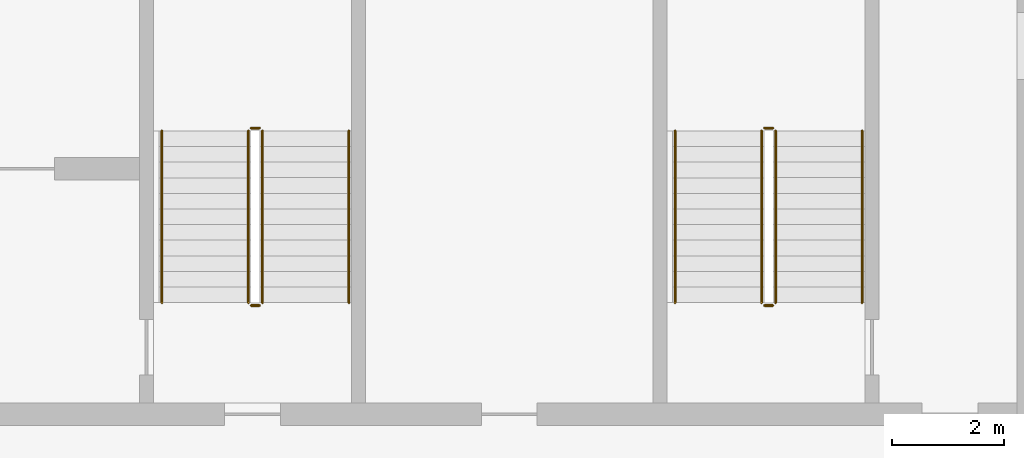
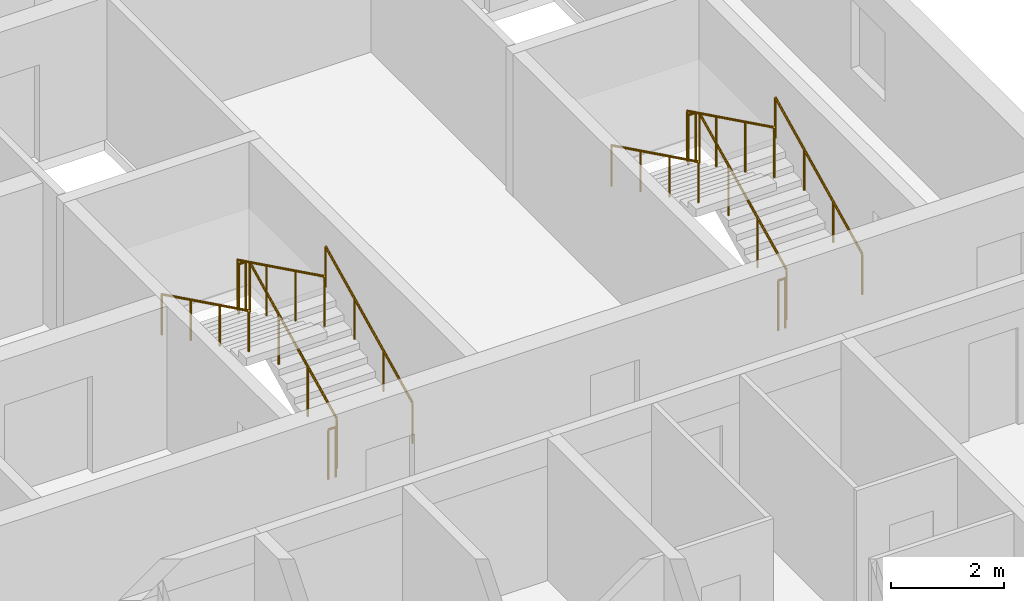
# One storey, part 15 of 27: 12 railings.
"""IFC4 building model written with IfcOpenShell, lengths in metres."""

from ifc_helpers import new_model, si_unit, direction, frame, origin, origin_2d, place, context, subcontext, project, spatial, circle, extrude, material, type_object, element, save


model = new_model("IFC4")

# Units and contexts
model_context = context("Model", 3, precision=1e-05, world=origin(), true_north=direction((0.0, 1.0)))
body_context = subcontext(model_context, "Body", "Model", "MODEL_VIEW")
ifc_project = project(units=[si_unit("LENGTHUNIT", "METRE"), si_unit("AREAUNIT", "SQUARE_METRE"), si_unit("VOLUMEUNIT", "CUBIC_METRE"), si_unit("PLANEANGLEUNIT", "RADIAN"), si_unit("MASSUNIT", "GRAM", prefix="KILO")], contexts=[model_context])

# Site, building, storey
site_placement = place(None, origin())
site = spatial("IfcSite", under=ifc_project, at=site_placement, CompositionType="ELEMENT")
building_placement = place(site_placement, origin())
building = spatial("IfcBuilding", under=site, at=building_placement, Name="Poui Terraces", CompositionType="ELEMENT")
storey_placement = place(building_placement, frame((0.0, 0.0, 195.0)))
storey = spatial("IfcBuildingStorey", under=building, at=storey_placement, Name="L54", CompositionType="ELEMENT", Elevation=195.0)

# Railings
ifc_material_1 = material(Name="Galvanised steel balustrade", Category="steel")
railing_type_1 = type_object("IfcRailingType", Name="STAIR GUARD 1100", PredefinedType="GUARDRAIL", material=ifc_material_1)
railing_1_placement = place(storey_placement, frame((70.27490234375, 16.60009765625, 0.137451171875)))
element("IfcRailing", 1, at=railing_1_placement, inside=storey, type_object=railing_type_1, Name="L54 ST-CE stair guard 1", PredefinedType="GUARDRAIL", context=body_context, shape_type="SweptSolid", body=[
    extrude(circle(Radius=0.02392578125, at=origin_2d()), frame((0.0, 0.0, 1.076171875), z_axis=(0.0, 0.897606190399, 0.440798283751), x_axis=(-1.0, 0.0, 0.0)), (0.0, 0.0, 1.0), 3.43115234375),
    extrude(circle(Radius=0.02099609375, at=origin_2d()), origin(), (0.0, 0.0, 1.0), 1.052001953125),
    extrude(circle(Radius=0.02099609375, at=origin_2d()), frame((0.0, 1.026611328125, 0.504150390625)), (0.0, 0.0, 1.0), 1.052001953125),
    extrude(circle(Radius=0.02099609375, at=origin_2d()), frame((0.0, 2.05322265625, 1.00830078125)), (0.0, 0.0, 1.0), 1.052001953125),
    extrude(circle(Radius=0.02099609375, at=origin_2d()), frame((0.0, 3.079833984375, 1.512451171875)), (0.0, 0.0, 1.0), 1.052001953125),
])
railing_2_placement = place(storey_placement, frame((70.22509765625, 19.72998046875, 1.64990234375)))
element("IfcRailing", 2, at=railing_2_placement, inside=storey, type_object=railing_type_1, Name="L54 ST-CE stair guard 2", PredefinedType="GUARDRAIL", context=body_context, shape_type="SweptSolid", body=[
    extrude(circle(Radius=0.02392578125, at=origin_2d()), frame((0.0, 0.0, 1.076171875), z_axis=(-1.0, 0.0, 0.0), x_axis=(0.0, -1.0, 0.0)), (0.0, 0.0, 1.0), 0.150146484375),
    extrude(circle(Radius=0.02099609375, at=origin_2d()), origin(), (0.0, 0.0, 1.0), 1.052001953125),
    extrude(circle(Radius=0.02099609375, at=origin_2d()), frame((-0.150146484375, 0.0, 0.0)), (0.0, 0.0, 1.0), 1.052001953125),
])
railing_3_placement = place(storey_placement, frame((70.02490234375, 19.679931640625, 1.78759765625)))
element("IfcRailing", 3, at=railing_3_placement, inside=storey, type_object=railing_type_1, Name="L54 ST-CE stair guard 3", PredefinedType="GUARDRAIL", context=body_context, shape_type="SweptSolid", body=[
    extrude(circle(Radius=0.02392578125, at=origin_2d()), frame((0.0, 0.0, 1.076171875), z_axis=(0.0, -0.897606190399, 0.440798283751), x_axis=(1.0, 0.0, 0.0)), (0.0, 0.0, 1.0), 3.43115234375),
    extrude(circle(Radius=0.02099609375, at=origin_2d()), origin(), (0.0, 0.0, 1.0), 1.052001953125),
    extrude(circle(Radius=0.02099609375, at=origin_2d()), frame((0.0, -1.026611328125, 0.504150390625)), (0.0, 0.0, 1.0), 1.052001953125),
    extrude(circle(Radius=0.02099609375, at=origin_2d()), frame((0.0, -2.05322265625, 1.00830078125)), (0.0, 0.0, 1.0), 1.052001953125),
    extrude(circle(Radius=0.02099609375, at=origin_2d()), frame((0.0, -3.079833984375, 1.512451171875)), (0.0, 0.0, 1.0), 1.052001953125),
])
railing_4_placement = place(storey_placement, frame((70.22509765625, 16.550048828125, 0.0)))
element("IfcRailing", 4, at=railing_4_placement, inside=storey, type_object=railing_type_1, Name="L54 ST-CE stair guard 4", PredefinedType="GUARDRAIL", context=body_context, shape_type="SweptSolid", body=[
    extrude(circle(Radius=0.02392578125, at=origin_2d()), frame((0.0, 0.0, 1.076171875), z_axis=(-1.0, 0.0, 0.0), x_axis=(0.0, -1.0, 0.0)), (0.0, 0.0, 1.0), 0.150146484375),
    extrude(circle(Radius=0.02099609375, at=origin_2d()), origin(), (0.0, 0.0, 1.0), 1.052001953125),
    extrude(circle(Radius=0.02099609375, at=origin_2d()), frame((-0.150146484375, 0.0, 0.0)), (0.0, 0.0, 1.0), 1.052001953125),
])
railing_5_placement = place(storey_placement, frame((79.47509765625, 16.60009765625, 0.137451171875)))
element("IfcRailing", 5, at=railing_5_placement, inside=storey, type_object=railing_type_1, Name="L54 ST-E stair guard 1", PredefinedType="GUARDRAIL", context=body_context, shape_type="SweptSolid", body=[
    extrude(circle(Radius=0.02392578125, at=origin_2d()), frame((0.0, 0.0, 1.076171875), z_axis=(0.0, 0.897606190399, 0.440798283751), x_axis=(-1.0, 0.0, 0.0)), (0.0, 0.0, 1.0), 3.43115234375),
    extrude(circle(Radius=0.02099609375, at=origin_2d()), origin(), (0.0, 0.0, 1.0), 1.052001953125),
    extrude(circle(Radius=0.02099609375, at=origin_2d()), frame((0.0, 1.026611328125, 0.504150390625)), (0.0, 0.0, 1.0), 1.052001953125),
    extrude(circle(Radius=0.02099609375, at=origin_2d()), frame((0.0, 2.05322265625, 1.00830078125)), (0.0, 0.0, 1.0), 1.052001953125),
    extrude(circle(Radius=0.02099609375, at=origin_2d()), frame((0.0, 3.079833984375, 1.512451171875)), (0.0, 0.0, 1.0), 1.052001953125),
])
railing_6_placement = place(storey_placement, frame((79.425048828125, 19.72998046875, 1.64990234375)))
element("IfcRailing", 6, at=railing_6_placement, inside=storey, type_object=railing_type_1, Name="L54 ST-E stair guard 2", PredefinedType="GUARDRAIL", context=body_context, shape_type="SweptSolid", body=[
    extrude(circle(Radius=0.02392578125, at=origin_2d()), frame((0.0, 0.0, 1.076171875), z_axis=(-1.0, 0.0, 0.0), x_axis=(0.0, -1.0, 0.0)), (0.0, 0.0, 1.0), 0.150146484375),
    extrude(circle(Radius=0.02099609375, at=origin_2d()), origin(), (0.0, 0.0, 1.0), 1.052001953125),
    extrude(circle(Radius=0.02099609375, at=origin_2d()), frame((-0.150146484375, 0.0, 0.0)), (0.0, 0.0, 1.0), 1.052001953125),
])
railing_7_placement = place(storey_placement, frame((79.22509765625, 19.679931640625, 1.78759765625)))
element("IfcRailing", 7, at=railing_7_placement, inside=storey, type_object=railing_type_1, Name="L54 ST-E stair guard 3", PredefinedType="GUARDRAIL", context=body_context, shape_type="SweptSolid", body=[
    extrude(circle(Radius=0.02392578125, at=origin_2d()), frame((0.0, 0.0, 1.076171875), z_axis=(0.0, -0.897606190399, 0.440798283751), x_axis=(1.0, 0.0, 0.0)), (0.0, 0.0, 1.0), 3.43115234375),
    extrude(circle(Radius=0.02099609375, at=origin_2d()), origin(), (0.0, 0.0, 1.0), 1.052001953125),
    extrude(circle(Radius=0.02099609375, at=origin_2d()), frame((0.0, -1.026611328125, 0.504150390625)), (0.0, 0.0, 1.0), 1.052001953125),
    extrude(circle(Radius=0.02099609375, at=origin_2d()), frame((0.0, -2.05322265625, 1.00830078125)), (0.0, 0.0, 1.0), 1.052001953125),
    extrude(circle(Radius=0.02099609375, at=origin_2d()), frame((0.0, -3.079833984375, 1.512451171875)), (0.0, 0.0, 1.0), 1.052001953125),
])
railing_8_placement = place(storey_placement, frame((79.425048828125, 16.550048828125, 0.0)))
element("IfcRailing", 8, at=railing_8_placement, inside=storey, type_object=railing_type_1, Name="L54 ST-E stair guard 4", PredefinedType="GUARDRAIL", context=body_context, shape_type="SweptSolid", body=[
    extrude(circle(Radius=0.02392578125, at=origin_2d()), frame((0.0, 0.0, 1.076171875), z_axis=(-1.0, 0.0, 0.0), x_axis=(0.0, -1.0, 0.0)), (0.0, 0.0, 1.0), 0.150146484375),
    extrude(circle(Radius=0.02099609375, at=origin_2d()), origin(), (0.0, 0.0, 1.0), 1.052001953125),
    extrude(circle(Radius=0.02099609375, at=origin_2d()), frame((-0.150146484375, 0.0, 0.0)), (0.0, 0.0, 1.0), 1.052001953125),
])
ifc_material_2 = material(Name="Stainless steel handrail", Category="steel")
railing_type_2 = type_object("IfcRailingType", Name="STAIR HANDRAIL 900", PredefinedType="HANDRAIL", material=ifc_material_2)
railing_9_placement = place(storey_placement, frame((71.824951171875, 16.60009765625, 0.137451171875)))
element("IfcRailing", 9, at=railing_9_placement, inside=storey, type_object=railing_type_2, Name="L54 ST-CE stair handrail 1", PredefinedType="HANDRAIL", context=body_context, shape_type="SweptSolid", body=[
    extrude(circle(Radius=0.02392578125, at=origin_2d()), frame((0.0, 0.0, 0.8759765625), z_axis=(0.0, 0.897606190399, 0.440798283751), x_axis=(-1.0, 0.0, 0.0)), (0.0, 0.0, 1.0), 3.43115234375),
    extrude(circle(Radius=0.02099609375, at=origin_2d()), origin(), (0.0, 0.0, 1.0), 0.851806640625),
    extrude(circle(Radius=0.02099609375, at=origin_2d()), frame((0.0, 1.026611328125, 0.504150390625)), (0.0, 0.0, 1.0), 0.851806640625),
    extrude(circle(Radius=0.02099609375, at=origin_2d()), frame((0.0, 2.05322265625, 1.00830078125)), (0.0, 0.0, 1.0), 0.851806640625),
    extrude(circle(Radius=0.02099609375, at=origin_2d()), frame((0.0, 3.079833984375, 1.512451171875)), (0.0, 0.0, 1.0), 0.851806640625),
])
railing_10_placement = place(storey_placement, frame((68.47509765625, 19.679931640625, 1.78759765625)))
element("IfcRailing", 10, at=railing_10_placement, inside=storey, type_object=railing_type_2, Name="L54 ST-CE stair handrail 2", PredefinedType="HANDRAIL", context=body_context, shape_type="SweptSolid", body=[
    extrude(circle(Radius=0.02392578125, at=origin_2d()), frame((0.0, 0.0, 0.8759765625), z_axis=(0.0, -0.897606190399, 0.440798283751), x_axis=(1.0, 0.0, 0.0)), (0.0, 0.0, 1.0), 3.43115234375),
    extrude(circle(Radius=0.02099609375, at=origin_2d()), origin(), (0.0, 0.0, 1.0), 0.851806640625),
    extrude(circle(Radius=0.02099609375, at=origin_2d()), frame((0.0, -1.026611328125, 0.504150390625)), (0.0, 0.0, 1.0), 0.851806640625),
    extrude(circle(Radius=0.02099609375, at=origin_2d()), frame((0.0, -2.05322265625, 1.00830078125)), (0.0, 0.0, 1.0), 0.851806640625),
    extrude(circle(Radius=0.02099609375, at=origin_2d()), frame((0.0, -3.079833984375, 1.512451171875)), (0.0, 0.0, 1.0), 0.851806640625),
])
railing_11_placement = place(storey_placement, frame((81.02490234375, 16.60009765625, 0.137451171875)))
element("IfcRailing", 11, at=railing_11_placement, inside=storey, type_object=railing_type_2, Name="L54 ST-E stair handrail 1", PredefinedType="HANDRAIL", context=body_context, shape_type="SweptSolid", body=[
    extrude(circle(Radius=0.02392578125, at=origin_2d()), frame((0.0, 0.0, 0.8759765625), z_axis=(0.0, 0.897606190399, 0.440798283751), x_axis=(-1.0, 0.0, 0.0)), (0.0, 0.0, 1.0), 3.43115234375),
    extrude(circle(Radius=0.02099609375, at=origin_2d()), origin(), (0.0, 0.0, 1.0), 0.851806640625),
    extrude(circle(Radius=0.02099609375, at=origin_2d()), frame((0.0, 1.026611328125, 0.504150390625)), (0.0, 0.0, 1.0), 0.851806640625),
    extrude(circle(Radius=0.02099609375, at=origin_2d()), frame((0.0, 2.05322265625, 1.00830078125)), (0.0, 0.0, 1.0), 0.851806640625),
    extrude(circle(Radius=0.02099609375, at=origin_2d()), frame((0.0, 3.079833984375, 1.512451171875)), (0.0, 0.0, 1.0), 0.851806640625),
])
railing_12_placement = place(storey_placement, frame((77.675048828125, 19.679931640625, 1.78759765625)))
element("IfcRailing", 12, at=railing_12_placement, inside=storey, type_object=railing_type_2, Name="L54 ST-E stair handrail 2", PredefinedType="HANDRAIL", context=body_context, shape_type="SweptSolid", body=[
    extrude(circle(Radius=0.02392578125, at=origin_2d()), frame((0.0, 0.0, 0.8759765625), z_axis=(0.0, -0.897606190399, 0.440798283751), x_axis=(1.0, 0.0, 0.0)), (0.0, 0.0, 1.0), 3.43115234375),
    extrude(circle(Radius=0.02099609375, at=origin_2d()), origin(), (0.0, 0.0, 1.0), 0.851806640625),
    extrude(circle(Radius=0.02099609375, at=origin_2d()), frame((0.0, -1.026611328125, 0.504150390625)), (0.0, 0.0, 1.0), 0.851806640625),
    extrude(circle(Radius=0.02099609375, at=origin_2d()), frame((0.0, -2.05322265625, 1.00830078125)), (0.0, 0.0, 1.0), 0.851806640625),
    extrude(circle(Radius=0.02099609375, at=origin_2d()), frame((0.0, -3.079833984375, 1.512451171875)), (0.0, 0.0, 1.0), 0.851806640625),
])

save(model, "model.ifc")
